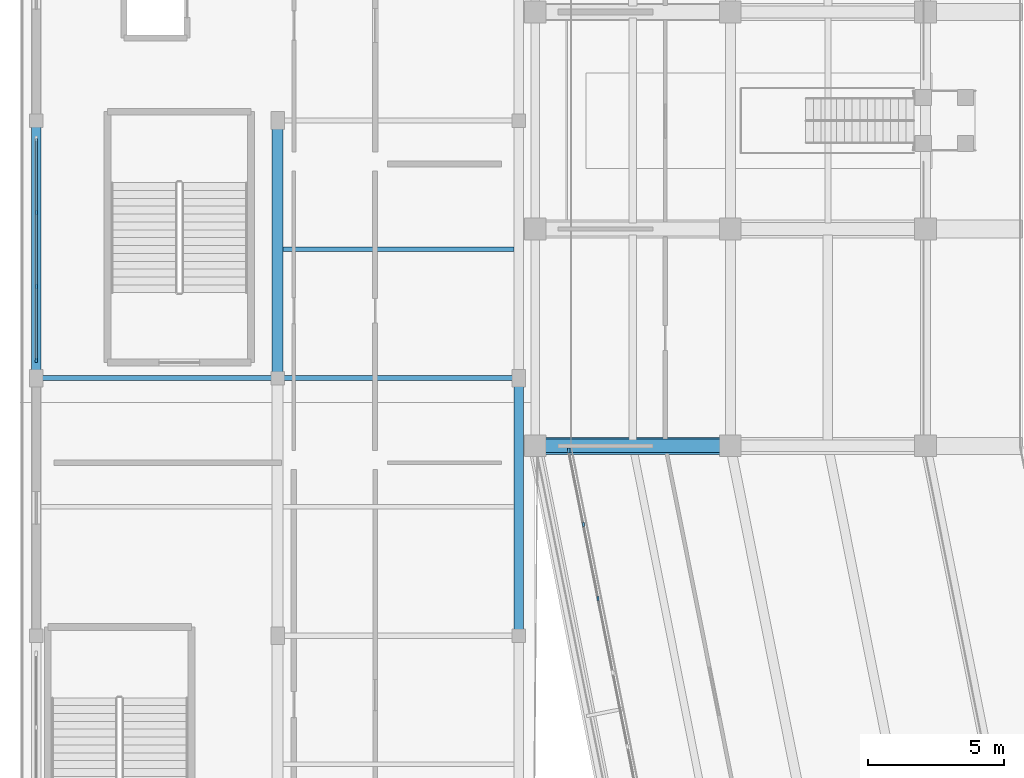
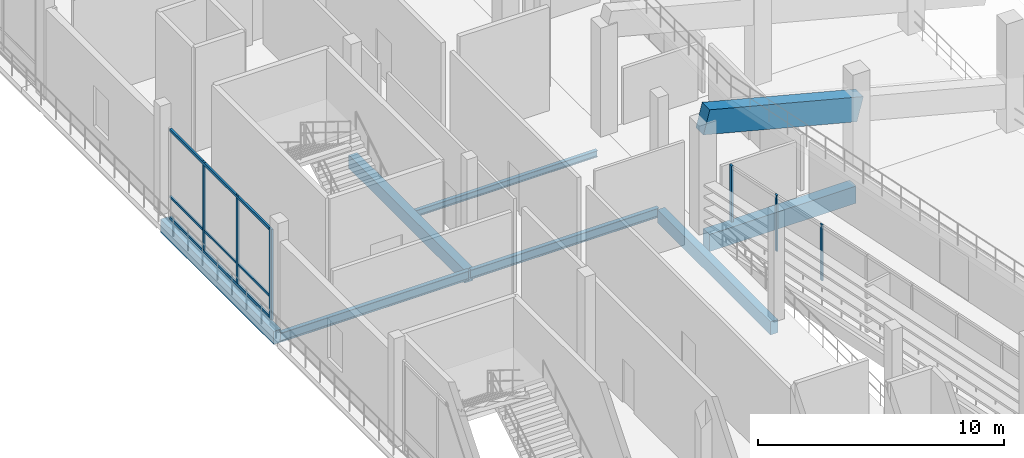
# One storey, part 18 of 96: 9 members, 8 beams, 2 elements without a shape of their own.
"""IFC4 building model written with IfcOpenShell, lengths in metres."""

import ifcopenshell
import ifcopenshell.guid

model = None  # the IFC model being written
_history = None  # IfcOwnerHistory: only IFC2X3 demands one
_inside = {}  # id of a spatial element -> (the spatial element, [elements in it])
_under = {}  # id of a project, library or spatial element -> (it, [spatial elements below it])
_declared = {}  # id of a project -> (the project, [libraries it declares])
_typed = {}  # id of a type object -> (the type object, [elements of that type])
_made_of = {}  # id of a material, layer set ... -> (it, [elements and type objects made of it])


def new_model(schema):
    """Start an empty IFC model of exactly this schema.

    Asked for "IFC4X3", IfcOpenShell would pick the latest addendum, in which some entities
    have other attributes; the version numbers below select the first issue.
    IFC2X3 requires an IfcOwnerHistory on every rooted entity: one is made here for all.
    """
    global model, _history
    if schema == "IFC4X3":
        model = ifcopenshell.file(schema_version=(4, 3, 0, 0))
    else:
        model = ifcopenshell.file(schema=schema)
    _inside.clear()
    _under.clear()
    _declared.clear()
    _typed.clear()
    _made_of.clear()
    _history = None
    if model.schema == "IFC2X3":
        org = make("IfcOrganization", Name="unknown")
        user = make(
            "IfcPersonAndOrganization",
            ThePerson=make("IfcPerson", FamilyName="unknown"),
            TheOrganization=org,
        )
        app = make(
            "IfcApplication",
            ApplicationDeveloper=org,
            Version="unknown",
            ApplicationFullName="unknown",
            ApplicationIdentifier="unknown",
        )
        _history = make(
            "IfcOwnerHistory",
            OwningUser=user,
            OwningApplication=app,
            ChangeAction="ADDED",
            CreationDate=0,
        )
    return model


def make(cls, **values):
    """One entity of the class cls with the attributes given. An attribute that is None is left unset."""
    return model.create_entity(
        cls, **{name: value for name, value in values.items() if value is not None}
    )


def rooted(cls, **values):
    """An entity with a GlobalId (a new one), such as an element, a storey or a relation."""
    return make(cls, GlobalId=ifcopenshell.guid.new(), OwnerHistory=_history, **values)


def si_unit(unit_type, name, prefix=None):
    """IfcSIUnit, for example si_unit("LENGTHUNIT", "METRE", prefix="MILLI")."""
    return make("IfcSIUnit", UnitType=unit_type, Prefix=prefix, Name=name)


def assignment(units):
    """IfcUnitAssignment: the units of a project."""
    return None if units is None else make("IfcUnitAssignment", Units=units)


def point(xyz):
    """IfcCartesianPoint."""
    return None if xyz is None else make("IfcCartesianPoint", Coordinates=xyz)


def direction(xyz):
    """IfcDirection."""
    return None if xyz is None else make("IfcDirection", DirectionRatios=xyz)


def frame(location, z_axis=None, x_axis=None):
    """IfcAxis2Placement3D, a coordinate frame: its origin and axes. An axis left out is left unset."""
    return make(
        "IfcAxis2Placement3D",
        Location=point(location),
        Axis=direction(z_axis),
        RefDirection=direction(x_axis),
    )


def frame_2d(location, x_axis=None):
    """IfcAxis2Placement2D, a coordinate frame in the plane: its origin and x axis."""
    return make(
        "IfcAxis2Placement2D", Location=point(location), RefDirection=direction(x_axis)
    )


def origin():
    """The frame at (0, 0, 0) with its axes left unset."""
    return frame((0.0, 0.0, 0.0))


def origin_2d():
    """The frame at (0, 0) in the plane with its x axis left unset."""
    return frame_2d((0.0, 0.0))


def place(relative_to, where):
    """IfcLocalPlacement: puts the frame where relative to a parent placement (None: the world)."""
    return make(
        "IfcLocalPlacement", PlacementRelTo=relative_to, RelativePlacement=where
    )


def context(
    kind, dimensions, precision=None, world=None, true_north=None, identifier=None
):
    """IfcGeometricRepresentationContext, for example the 3D "Model" context."""
    return make(
        "IfcGeometricRepresentationContext",
        ContextIdentifier=identifier,
        ContextType=kind,
        CoordinateSpaceDimension=dimensions,
        Precision=precision,
        WorldCoordinateSystem=world,
        TrueNorth=true_north,
    )


def subcontext(parent, identifier, kind, view, scale=None):
    """IfcGeometricRepresentationSubContext, for example "Body" below "Model"."""
    return make(
        "IfcGeometricRepresentationSubContext",
        ContextIdentifier=identifier,
        ContextType=kind,
        ParentContext=parent,
        TargetScale=scale,
        TargetView=view,
    )


def project(units=None, contexts=None):
    """IfcProject with its units and contexts."""
    return rooted(
        "IfcProject",
        Name="project",
        RepresentationContexts=contexts,
        UnitsInContext=assignment(units),
    )


def spatial(cls, under=None, at=None, **own):
    """A site, building, storey or space (cls), placed at a placement, below another one or the project."""
    s = rooted(cls, ObjectPlacement=at, **own)
    if under is not None:
        _under.setdefault(under.id(), (under, []))[1].append(s)
    return s


def profile(cls, at=None, kind="AREA", **sizes):
    """A parametric profile (cls). Its sizes go by their IFC names, for example OverallWidth=200.0."""
    return make(cls, ProfileType=kind, Position=at, **sizes)


def rectangle(**sizes):
    """IfcRectangleProfileDef."""
    return profile("IfcRectangleProfileDef", **sizes)


def i_section(**sizes):
    """IfcIShapeProfileDef."""
    return profile("IfcIShapeProfileDef", **sizes)


def extrude(swept, where, along, depth):
    """IfcExtrudedAreaSolid: the profile swept, set in the frame where, extruded along a direction by depth."""
    return make(
        "IfcExtrudedAreaSolid",
        SweptArea=swept,
        Position=where,
        ExtrudedDirection=direction(along),
        Depth=depth,
    )


def shape(context_of_items, identifier, shape_type, items):
    """IfcShapeRepresentation: the items that make up one representation, for example the "Body"."""
    return make(
        "IfcShapeRepresentation",
        ContextOfItems=context_of_items,
        RepresentationIdentifier=identifier,
        RepresentationType=shape_type,
        Items=items,
    )


def material(Name=None, Category=None):
    """IfcMaterial."""
    return make("IfcMaterial", Name=Name, Category=Category)


def material_profile(
    of_material, cross_section, Name=None, Category=None, Priority=None
):
    """IfcMaterialProfile: a cross section and its material."""
    return make(
        "IfcMaterialProfile",
        Name=Name,
        Material=of_material,
        Profile=cross_section,
        Priority=Priority,
        Category=Category,
    )


def profile_set(profiles, Name=None, composite=None):
    """IfcMaterialProfileSet."""
    return make(
        "IfcMaterialProfileSet",
        Name=Name,
        MaterialProfiles=profiles,
        CompositeProfile=composite,
    )


def made_of(thing, what):
    """Note that an element or type object is made of a material, layer set ...; save() writes the relation."""
    if what is not None:
        _made_of.setdefault(what.id(), (what, []))[1].append(thing)
    return thing


def type_object(cls, material=None, **own):
    """A type object (cls), such as IfcWallType, which elements share."""
    return made_of(rooted(cls, **own), material)


def element(
    cls,
    number,
    at=None,
    inside=None,
    cuts=None,
    type_object=None,
    material=None,
    context=None,
    identifier="Body",
    shape_type=None,
    held_by="IfcProductDefinitionShape",
    body=None,
    shapes=None,
    **own,
):
    """One element of the class cls, such as IfcWall. Its Tag is "e" and its number.

    at: its placement. inside: the storey or other place that contains it. cuts: it is an
    opening in that element (IfcRelVoidsElement). A single representation is given by context,
    identifier, shape_type and body (its items); several are given by shapes. held_by: the class
    of the entity that holds the representations. save() writes the other relations.
    """
    e = rooted(cls, Tag="e%d" % number, ObjectPlacement=at, **own)
    if body is not None:
        shapes = [shape(context, identifier, shape_type, body)]
    if shapes is not None:
        e.Representation = make(held_by, Representations=shapes)
    if inside is not None:
        _inside.setdefault(inside.id(), (inside, []))[1].append(e)
    if cuts is not None:
        rooted(
            "IfcRelVoidsElement", RelatingBuildingElement=cuts, RelatedOpeningElement=e
        )
    if type_object is not None:
        _typed.setdefault(type_object.id(), (type_object, []))[1].append(e)
    return made_of(e, material)


def aggregate(whole, parts):
    """IfcRelAggregates: a whole, such as a stair, and the parts it consists of."""
    return rooted("IfcRelAggregates", RelatingObject=whole, RelatedObjects=parts)


def save(model, path):
    """Write the relations noted so far, then the file.

    IfcRelAggregates (storeys below a building ...), IfcRelContainedInSpatialStructure (elements
    in a storey), IfcRelDefinesByType, IfcRelAssociatesMaterial and IfcRelDeclares: one each for
    every whole, place, type object, material and project.
    """
    for whole, parts in _under.values():
        aggregate(whole, parts)
    for where, things in _inside.values():
        rooted(
            "IfcRelContainedInSpatialStructure",
            RelatedElements=things,
            RelatingStructure=where,
        )
    for kind, things in _typed.values():
        rooted("IfcRelDefinesByType", RelatedObjects=things, RelatingType=kind)
    for what, things in _made_of.values():
        rooted("IfcRelAssociatesMaterial", RelatedObjects=things, RelatingMaterial=what)
    for by, libraries in _declared.values():
        rooted("IfcRelDeclares", RelatingContext=by, RelatedDefinitions=libraries)
    model.write(path)


model = new_model("IFC4")

# Units and contexts
model_context = context("Model", 3, precision=1e-05, world=origin(), true_north=direction((0.0, 1.0)))
body_context = subcontext(model_context, "Body", "Model", "MODEL_VIEW")
ifc_project = project(units=[si_unit("LENGTHUNIT", "METRE"), si_unit("AREAUNIT", "SQUARE_METRE"), si_unit("VOLUMEUNIT", "CUBIC_METRE"), si_unit("PLANEANGLEUNIT", "RADIAN"), si_unit("MASSUNIT", "GRAM", prefix="KILO")], contexts=[model_context])

# Site, building, storey
site_placement = place(None, origin())
site = spatial("IfcSite", under=ifc_project, at=site_placement, CompositionType="ELEMENT")
building_placement = place(site_placement, origin())
building = spatial("IfcBuilding", under=site, at=building_placement, Name="Candeia Ridge Stadium", CompositionType="ELEMENT")
storey_placement = place(building_placement, frame((0.0, 0.0, 21.60009765625)))
storey = spatial("IfcBuildingStorey", under=building, at=storey_placement, Name="L04", CompositionType="ELEMENT", Elevation=21.60009765625)

# Curtain wall, member
ifc_material_1 = material(Name="Aluminium Anodized Warm Bronze", Category="aluminium")
curtain_wall_type_1 = type_object("IfcCurtainWallType", Name="Concourse Recessed Unitised Curtain Wall", PredefinedType="NOTDEFINED", material=ifc_material_1)
curtain_wall_1_placement = place(storey_placement, origin())
curtain_wall_1 = element("IfcCurtainWall", 1, at=curtain_wall_1_placement, inside=storey, type_object=curtain_wall_type_1, Name="Unitised curtain wall CW-BWL-L04-14", PredefinedType="NOTDEFINED")
ifc_material_profile_1 = material_profile(ifc_material_1, rectangle(XDim=0.090087890625, YDim=0.179931640625, at=origin_2d()), Name="CWM-90x180", Category="aluminium")
ifc_profile_set_1 = profile_set([ifc_material_profile_1], Name="Aluminium Anodized Warm Bronze")
member_type_1 = type_object("IfcMemberType", Name="Curtain Wall Primary Mullion 90x180", PredefinedType="MULLION", material=ifc_profile_set_1)
member_1_placement = place(storey_placement, frame((20.235107421875, 70.823486328125, 0.0), z_axis=(0.0, 0.0, 1.0), x_axis=(1.0, 0.0, 0.0)))
member_1 = element("IfcMember", 2, at=member_1_placement, type_object=member_type_1, Name="Curtain wall mullion CW-BWL-L04-14-M0", PredefinedType="MULLION", context=body_context, shape_type="SweptSolid", body=[
    extrude(rectangle(XDim=0.090087890625, YDim=0.179931640625, at=origin_2d()), origin(), (0.0, 0.0, 1.0), 2.772216796875),
])

curtain_wall_type_2 = type_object("IfcCurtainWallType", Name="West Pavilion Hospitality Curtain Wall", PredefinedType="NOTDEFINED", material=ifc_material_1)
curtain_wall_2_placement = place(storey_placement, origin())
curtain_wall_2 = element("IfcCurtainWall", 3, at=curtain_wall_2_placement, inside=storey, type_object=curtain_wall_type_2, Name="Unitised curtain wall CW-WNG-L04-095", PredefinedType="NOTDEFINED")
member_2_placement = place(storey_placement, frame((0.60009765625, 74.159912109375, 0.0), z_axis=(0.0, 0.0, 1.0), x_axis=(1.0, 0.0, 0.0)))
member_2 = element("IfcMember", 4, at=member_2_placement, type_object=member_type_1, Name="Curtain wall mullion CW-WNG-L04-095-M0", PredefinedType="MULLION", context=body_context, shape_type="SweptSolid", body=[
    extrude(rectangle(XDim=0.090087890625, YDim=0.179931640625, at=origin_2d()), origin(), (0.0, 0.0, 1.0), 4.48486328125),
])

# Member
ifc_material_profile_2 = material_profile(ifc_material_1, rectangle(XDim=0.074951171875, YDim=0.14990234375, at=origin_2d()), Name="CWM-75x150", Category="aluminium")
ifc_profile_set_2 = profile_set([ifc_material_profile_2], Name="Aluminium Anodized Warm Bronze")
member_type_2 = type_object("IfcMemberType", Name="Curtain Wall Secondary Mullion 75x150", PredefinedType="MULLION", material=ifc_profile_set_2)
member_3_placement = place(storey_placement, frame((20.777587890625, 68.0966796875, 0.0), z_axis=(0.0, 0.0, 1.0), x_axis=(1.0, 0.0, 0.0)))
member_3 = element("IfcMember", 5, at=member_3_placement, type_object=member_type_2, Name="Curtain wall mullion CW-BWL-L04-14-M1", PredefinedType="MULLION", context=body_context, shape_type="SweptSolid", body=[
    extrude(rectangle(XDim=0.074951171875, YDim=0.14990234375, at=origin_2d()), origin(), (0.0, 0.0, 1.0), 2.772216796875),
])

member_4_placement = place(storey_placement, frame((21.31982421875, 65.3701171875, 0.0), z_axis=(0.0, 0.0, 1.0), x_axis=(1.0, 0.0, 0.0)))
member_4 = element("IfcMember", 6, at=member_4_placement, type_object=member_type_2, Name="Curtain wall mullion CW-BWL-L04-14-M2", PredefinedType="MULLION", context=body_context, shape_type="SweptSolid", body=[
    extrude(rectangle(XDim=0.074951171875, YDim=0.14990234375, at=origin_2d()), origin(), (0.0, 0.0, 1.0), 2.772216796875),
])

aggregate(curtain_wall_1, [member_1, member_3, member_4])

member_5_placement = place(storey_placement, frame((0.60009765625, 76.88671875, 0.0), z_axis=(0.0, 0.0, 1.0), x_axis=(1.0, 0.0, 0.0)))
member_5 = element("IfcMember", 7, at=member_5_placement, type_object=member_type_2, Name="Curtain wall mullion CW-WNG-L04-095-M1", PredefinedType="MULLION", context=body_context, shape_type="SweptSolid", body=[
    extrude(rectangle(XDim=0.074951171875, YDim=0.14990234375, at=origin_2d()), origin(), (0.0, 0.0, 1.0), 4.48486328125),
])

member_6_placement = place(storey_placement, frame((0.60009765625, 79.61328125, 0.0), z_axis=(0.0, 0.0, 1.0), x_axis=(1.0, 0.0, 0.0)))
member_6 = element("IfcMember", 8, at=member_6_placement, type_object=member_type_2, Name="Curtain wall mullion CW-WNG-L04-095-M2", PredefinedType="MULLION", context=body_context, shape_type="SweptSolid", body=[
    extrude(rectangle(XDim=0.074951171875, YDim=0.14990234375, at=origin_2d()), origin(), (0.0, 0.0, 1.0), 4.48486328125),
])

ifc_material_profile_3 = material_profile(ifc_material_1, rectangle(XDim=0.074951171875, YDim=0.110107421875, at=origin_2d()), Name="CWT-75x110", Category="aluminium")
ifc_profile_set_3 = profile_set([ifc_material_profile_3], Name="Aluminium Anodized Warm Bronze")
member_type_3 = type_object("IfcMemberType", Name="Curtain Wall Secondary Transom 75x110", PredefinedType="USERDEFINED", material=ifc_profile_set_3)
member_7_placement = place(storey_placement, frame((0.60009765625, 74.159912109375, 1.099853515625), z_axis=(0.0, 1.0, 0.0), x_axis=(-1.0, 0.0, 0.0)))
member_7 = element("IfcMember", 9, at=member_7_placement, type_object=member_type_3, Name="Curtain wall transom CW-WNG-L04-095-T1", ObjectType="TRANSOM", PredefinedType="USERDEFINED", context=body_context, shape_type="SweptSolid", body=[
    extrude(rectangle(XDim=0.074951171875, YDim=0.110107421875, at=origin_2d()), origin(), (0.0, 0.0, 1.0), 8.18017578125),
])

ifc_material_profile_4 = material_profile(ifc_material_1, rectangle(XDim=0.090087890625, YDim=0.139892578125, at=origin_2d()), Name="CWT-90x140", Category="aluminium")
ifc_profile_set_4 = profile_set([ifc_material_profile_4], Name="Aluminium Anodized Warm Bronze")
member_type_4 = type_object("IfcMemberType", Name="Curtain Wall Transom 90x140", PredefinedType="USERDEFINED", material=ifc_profile_set_4)
member_8_placement = place(storey_placement, frame((0.60009765625, 74.159912109375, 0.06982421875), z_axis=(0.0, 1.0, 0.0), x_axis=(-1.0, 0.0, 0.0)))
member_8 = element("IfcMember", 10, at=member_8_placement, type_object=member_type_4, Name="Curtain wall transom CW-WNG-L04-095-T0", ObjectType="TRANSOM", PredefinedType="USERDEFINED", context=body_context, shape_type="SweptSolid", body=[
    extrude(rectangle(XDim=0.090087890625, YDim=0.139892578125, at=origin_2d()), origin(), (0.0, 0.0, 1.0), 8.18017578125),
])

member_9_placement = place(storey_placement, frame((0.60009765625, 74.159912109375, 4.414794921875), z_axis=(0.0, 1.0, 0.0), x_axis=(-1.0, 0.0, 0.0)))
member_9 = element("IfcMember", 11, at=member_9_placement, type_object=member_type_4, Name="Curtain wall transom CW-WNG-L04-095-T2", ObjectType="TRANSOM", PredefinedType="USERDEFINED", context=body_context, shape_type="SweptSolid", body=[
    extrude(rectangle(XDim=0.090087890625, YDim=0.139892578125, at=origin_2d()), origin(), (0.0, 0.0, 1.0), 8.18017578125),
])

aggregate(curtain_wall_2, [member_2, member_5, member_6, member_8, member_7, member_9])

# Beams
ifc_material_2 = material(Name="Concrete C45/55", Category="concrete")
ifc_material_profile_5 = material_profile(ifc_material_2, rectangle(XDim=0.5, YDim=0.85009765625, at=origin_2d()), Name="RC500x850", Category="concrete")
ifc_profile_set_5 = profile_set([ifc_material_profile_5], Name="Concrete C45/55")
beam_type_1 = type_object("IfcBeamType", Name="Frame Girder RC500x850", PredefinedType="BEAM", material=ifc_profile_set_5)
beam_1_placement = place(storey_placement, frame((26.0400390625, 71.0, -0.68505859375), z_axis=(-1.0, 0.0, 0.0), x_axis=(0.0, -1.0, 0.0)))
element("IfcBeam", 12, at=beam_1_placement, inside=storey, type_object=beam_type_1, Name="Bowl radial girder BM-L04-0750", PredefinedType="BEAM", context=body_context, shape_type="SweptSolid", body=[
    extrude(rectangle(XDim=0.5, YDim=0.85009765625, at=origin_2d()), origin(), (0.0, 0.0, 1.0), 6.880126953125),
])
ifc_material_3 = material(Name="Steel ASTM A572 Grade 50", Category="steel")
ifc_material_profile_6 = material_profile(ifc_material_3, i_section(OverallWidth=0.1669921875, OverallDepth=0.31689453125, WebThickness=0.007568359375, FlangeThickness=0.01318359375, FilletRadius=0.011962890625, at=origin_2d()), Name="W310x52", Category="steel")
ifc_profile_set_6 = profile_set([ifc_material_profile_6], Name="Steel ASTM A572 Grade 50")
beam_type_2 = type_object("IfcBeamType", Name="Pavilion Secondary Joist W310x52", PredefinedType="JOIST", material=ifc_profile_set_6)
beam_2_placement = place(storey_placement, frame((9.699462890625, 78.25, -0.418701171875), z_axis=(1.0, 0.0, 0.0), x_axis=(0.0, 1.0, 0.0)))
element("IfcBeam", 13, at=beam_2_placement, inside=storey, type_object=beam_type_2, Name="Wing secondary joist BM-L04-1341", PredefinedType="JOIST", context=body_context, shape_type="SweptSolid", body=[
    extrude(i_section(OverallWidth=0.1669921875, OverallDepth=0.31689453125, WebThickness=0.007568359375, FlangeThickness=0.01318359375, FilletRadius=0.011962890625, at=origin_2d()), origin(), (0.0, 0.0, 1.0), 8.526123046875),
])
ifc_material_profile_7 = material_profile(ifc_material_3, i_section(OverallWidth=0.18994140625, OverallDepth=0.45703125, WebThickness=0.009033203125, FlangeThickness=0.014404296875, FilletRadius=0.012939453125, at=origin_2d()), Name="W460x74", Category="steel")
ifc_profile_set_7 = profile_set([ifc_material_profile_7], Name="Steel ASTM A572 Grade 50")
beam_type_3 = type_object("IfcBeamType", Name="Pavilion Steel Girder W460x74", PredefinedType="BEAM", material=ifc_profile_set_7)
for number, where, z_axis, x_axis, name in (
    (14, (0.64990234375, 73.5, -0.488525390625), (1.0, 0.0, 0.0), (0.0, 1.0, 0.0), "Structural girder BM-L04-1320"),
    (15, (9.550048828125, 73.5, -0.488525390625), (1.0, 0.0, 0.0), (0.0, 1.0, 0.0), "Structural girder BM-L04-1340"),
):
    element("IfcBeam", number, at=place(storey_placement, frame(where, z_axis=z_axis, x_axis=x_axis)), inside=storey, type_object=beam_type_3, Name=name, PredefinedType="BEAM", context=body_context, shape_type="SweptSolid", body=[
        extrude(i_section(OverallWidth=0.18994140625, OverallDepth=0.45703125, WebThickness=0.009033203125, FlangeThickness=0.014404296875, FilletRadius=0.012939453125, at=origin_2d()), origin(), (0.0, 0.0, 1.0), 8.800048828125),
    ])
ifc_material_4 = material(Name="Concrete C40/50", Category="concrete")
ifc_material_profile_8 = material_profile(ifc_material_4, rectangle(XDim=0.35009765625, YDim=0.64990234375, at=origin_2d()), Name="RC350x650", Category="concrete")
ifc_profile_set_8 = profile_set([ifc_material_profile_8], Name="Concrete C40/50")
beam_type_4 = type_object("IfcBeamType", Name="Spandrel Beam RC350x650", PredefinedType="SPANDREL", material=ifc_profile_set_8)
for number, where, z_axis, x_axis, name in (
    (16, (0.60009765625, 73.659912109375, -0.585205078125), (0.0, 1.0, 0.0), (-1.0, 0.0, 0.0), "Structural girder BM-L04-1279"),
    (17, (18.39990234375, 64.159912109375, -0.585205078125), (0.0, 1.0, 0.0), (-1.0, 0.0, 0.0), "Structural girder BM-L04-1303"),
):
    element("IfcBeam", number, at=place(storey_placement, frame(where, z_axis=z_axis, x_axis=x_axis)), inside=storey, type_object=beam_type_4, Name=name, PredefinedType="SPANDREL", context=body_context, shape_type="SweptSolid", body=[
        extrude(rectangle(XDim=0.35009765625, YDim=0.64990234375, at=origin_2d()), origin(), (0.0, 0.0, 1.0), 9.18017578125),
    ])
ifc_material_profile_9 = material_profile(ifc_material_2, rectangle(XDim=0.6201171875, YDim=1.179931640625, at=origin_2d()), Name="RC620x1180", Category="concrete")
ifc_profile_set_9 = profile_set([ifc_material_profile_9], Name="Concrete C45/55")
beam_type_5 = type_object("IfcBeamType", Name="Stand Raker Beam RC620x1180", PredefinedType="USERDEFINED", material=ifc_profile_set_9)
beam_3_placement = place(storey_placement, frame((26.199951171875, 71.0, 3.531982421875), z_axis=(-0.968067153083, 0.0, 0.250691019229), x_axis=(0.0, -1.0, 0.0)))
element("IfcBeam", 18, at=beam_3_placement, inside=storey, type_object=beam_type_5, Name="Stand T3 outer raker beam 15", ObjectType="RAKER", PredefinedType="USERDEFINED", context=body_context, shape_type="SweptSolid", body=[
    extrude(rectangle(XDim=0.6201171875, YDim=1.179931640625, at=origin_2d()), origin(), (0.0, 0.0, 1.0), 7.4375),
])
ifc_material_profile_10 = material_profile(ifc_material_4, rectangle(XDim=0.39990234375, YDim=0.64990234375, at=origin_2d()), Name="RC400x650", Category="concrete")
ifc_profile_set_10 = profile_set([ifc_material_profile_10], Name="Concrete C40/50")
beam_type_6 = type_object("IfcBeamType", Name="Wing Primary Girder RC400x650", PredefinedType="BEAM", material=ifc_profile_set_10)
beam_4_placement = place(storey_placement, frame((9.5, 73.550048828125, -0.585205078125), z_axis=(0.0, 1.0, 0.0), x_axis=(-1.0, 0.0, 0.0)))
element("IfcBeam", 19, at=beam_4_placement, inside=storey, type_object=beam_type_6, Name="Structural girder BM-L04-1293", PredefinedType="BEAM", context=body_context, shape_type="SweptSolid", body=[
    extrude(rectangle(XDim=0.39990234375, YDim=0.64990234375, at=origin_2d()), origin(), (0.0, 0.0, 1.0), 9.39990234375),
])

save(model, "model.ifc")
